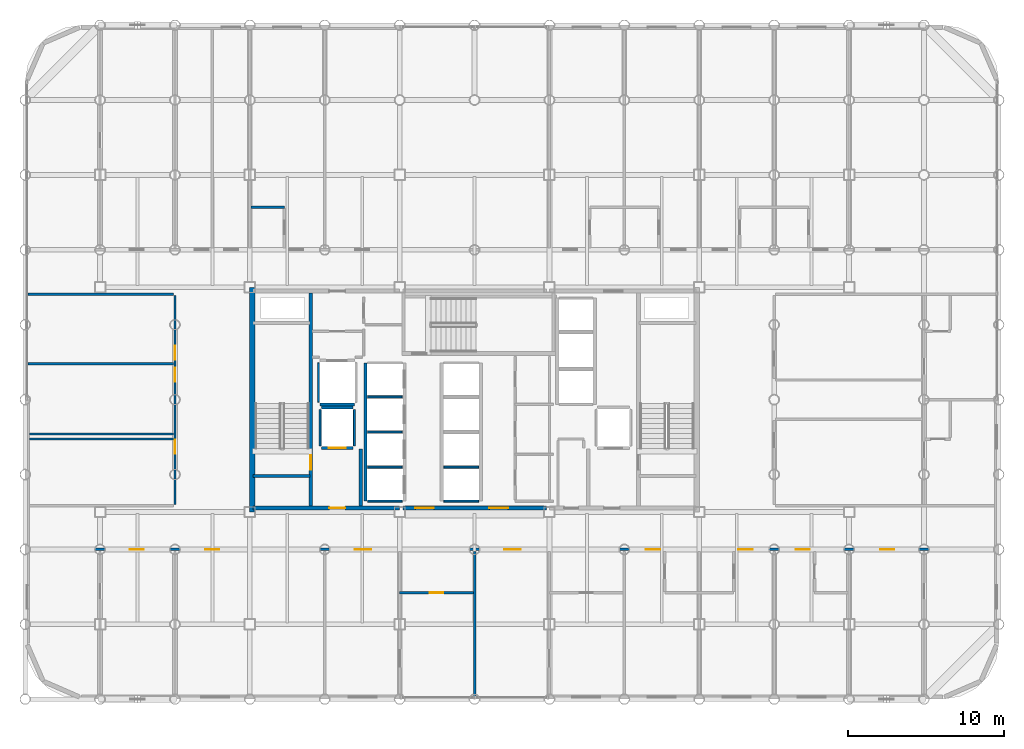
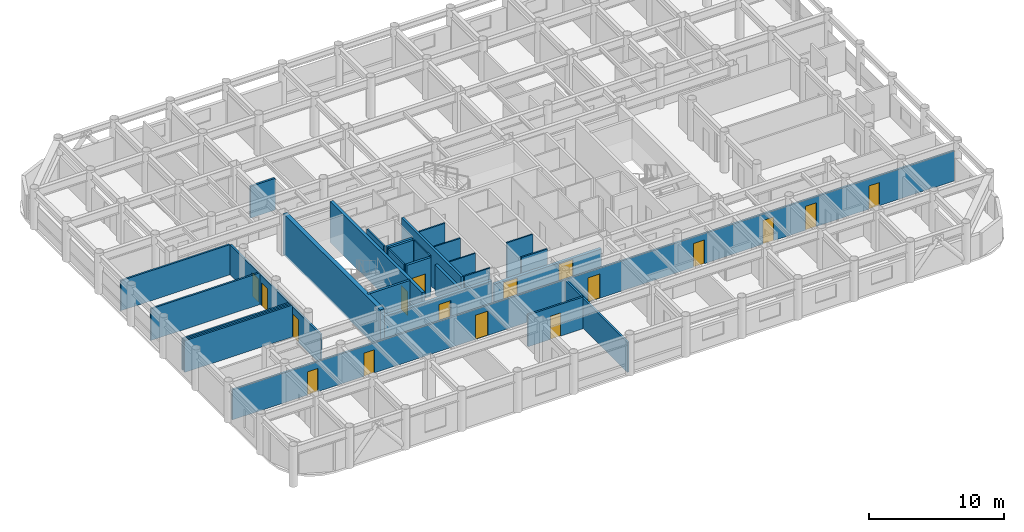
# One storey, part 17 of 22: 28 walls, 17 doors, 17 openings.
"""IFC4 building model written with IfcOpenShell, lengths in metres."""

from ifc_helpers import new_model, si_unit, direction, frame, frame_2d, origin, place, context, subcontext, project, spatial, rectangle, extrude, material, layer, layer_set, type_object, element, fill, save


model = new_model("IFC4")

# Units and contexts
model_context = context("Model", 3, precision=1e-05, world=origin(), true_north=direction((0.0, 1.0)))
body_context = subcontext(model_context, "Body", "Model", "MODEL_VIEW")
ifc_project = project(units=[si_unit("LENGTHUNIT", "METRE"), si_unit("AREAUNIT", "SQUARE_METRE"), si_unit("VOLUMEUNIT", "CUBIC_METRE"), si_unit("PLANEANGLEUNIT", "RADIAN"), si_unit("MASSUNIT", "GRAM", prefix="KILO")], contexts=[model_context])

# Site, building, storey
site_placement = place(None, origin())
site = spatial("IfcSite", under=ifc_project, at=site_placement, CompositionType="ELEMENT")
building_placement = place(site_placement, origin())
building = spatial("IfcBuilding", under=site, at=building_placement, Name="Kallvorn Hotel Tower", CompositionType="ELEMENT")
storey_placement = place(building_placement, frame((0.0, 0.0, 117.39990234375)))
storey = spatial("IfcBuildingStorey", under=building, at=storey_placement, Name="L28", CompositionType="ELEMENT", Elevation=117.39990234375)

# Wall
ifc_material_1 = material(Name="Concrete C50/60", Category="concrete")
ifc_layer_1 = layer(ifc_material_1, 0.35009765625)
ifc_layer_set_1 = layer_set([ifc_layer_1], Name="WL_CORE_350")
wall_type_1 = type_object("IfcWallType", Name="WL_CORE_350", PredefinedType="SHEAR", material=ifc_layer_set_1)
wall_1_placement = place(storey_placement, frame((-14.239990234375, -7.199951171875, -0.179931640625), z_axis=(0.0, 0.0, 1.0), x_axis=(0.0, 1.0, 0.0)))
element("IfcWall", 1, at=wall_1_placement, inside=storey, type_object=wall_type_1, Name="L28 Core West Shear Wall", PredefinedType="SHEAR", context=body_context, shape_type="SweptSolid", body=[
    extrude(rectangle(XDim=14.39990234375, YDim=0.35009765625, at=frame_2d((7.199951171875, 0.0))), origin(), (0.0, 0.0, 1.0), 3.699951171875),
])

# Wall, opening, door
ifc_material_2 = material(Name="Fire-rated double-layer acoustic gypsum drywall EI 60")
ifc_layer_2 = layer(ifc_material_2, 0.159912109375)
ifc_layer_set_2 = layer_set([ifc_layer_2], Name="WL_DEMISE_160")
wall_type_2 = type_object("IfcWallType", Name="WL_DEMISE_160", PredefinedType="PARTITIONING", material=ifc_layer_set_2)
wall_2_placement = place(storey_placement, frame((-4.800048828125, -12.3798828125, 0.0), z_axis=(0.0, 0.0, 1.0), x_axis=(1.0, 0.0, 0.0)))
wall_2 = element("IfcWall", 2, at=wall_2_placement, inside=storey, type_object=wall_type_2, Name="L28 Suite 2803 Executive Bedroom Partition", PredefinedType="PARTITIONING", context=body_context, shape_type="SweptSolid", body=[
    extrude(rectangle(XDim=4.719970703125, YDim=0.159912109375, at=frame_2d((2.35986328125, 0.0))), origin(), (0.0, 0.0, 1.0), 2.8701171875),
])
opening_1_placement = place(wall_2_placement, frame((1.929931640625, 0.0, 0.0)))
opening_1 = element("IfcOpeningElement", 3, at=opening_1_placement, cuts=wall_2, Name="Opening BD-I", PredefinedType="OPENING", context=body_context, shape_type="SweptSolid", body=[
    extrude(rectangle(XDim=0.860107421875, YDim=2.10009765625, at=frame_2d((0.43017578125, 1.050048828125))), frame((0.0, 0.094970703125, 0.0), z_axis=(0.0, -1.0, 0.0), x_axis=(1.0, 0.0, 0.0)), (0.0, 0.0, 1.0), 0.18994140625),
])
ifc_material_3 = material(Name="Solid-core walnut veneer fire-rated timber door leaf", Category="wood")
door_type_1 = type_object("IfcDoorType", Name="DR_BATH_860x2100", OperationType="NOTDEFINED", PredefinedType="DOOR", material=ifc_material_3)
door_1_placement = place(opening_1_placement, origin())
door_1 = element("IfcDoor", 4, at=door_1_placement, inside=storey, type_object=door_type_1, Name="L28 Suite 2803 En-Suite Bathroom Door", OperationType="SINGLE_SWING_RIGHT", OverallHeight=2.10009765625, OverallWidth=0.860107421875, PredefinedType="DOOR", context=body_context, shape_type="SweptSolid", body=[
    extrude(rectangle(XDim=0.860107421875, YDim=2.10009765625, at=frame_2d((0.43017578125, 1.050048828125))), frame((0.0, 0.02490234375, 0.0), z_axis=(0.0, -1.0, 0.0), x_axis=(1.0, 0.0, 0.0)), (0.0, 0.0, 1.0), 0.050048828125),
])
fill(opening_1, door_1)

# Wall, openings, doors
wall_3_placement = place(storey_placement, frame((-28.510009765625, -9.60009765625, 0.0), z_axis=(0.0, 0.0, 1.0), x_axis=(1.0, 0.0, 0.0)))
wall_3 = element("IfcWall", 5, at=wall_3_placement, inside=storey, type_object=wall_type_2, Name="L28 Suite 2803 Executive Living Salon Partition", PredefinedType="PARTITIONING", context=body_context, shape_type="SweptSolid", body=[
    extrude(rectangle(XDim=61.820068359375, YDim=0.159912109375, at=frame_2d((30.91015625, 0.0))), origin(), (0.0, 0.0, 1.0), 2.72021484375),
])
opening_2_placement = place(wall_3_placement, frame((6.419921875, 0.0, 0.0)))
opening_2 = element("IfcOpeningElement", 6, at=opening_2_placement, cuts=wall_3, Name="Opening SVD1", PredefinedType="OPENING", context=body_context, shape_type="SweptSolid", body=[
    extrude(rectangle(XDim=0.89990234375, YDim=2.10009765625, at=frame_2d((0.449951171875, 1.050048828125))), frame((0.0, 0.094970703125, 0.0), z_axis=(0.0, -1.0, 0.0), x_axis=(1.0, 0.0, 0.0)), (0.0, 0.0, 1.0), 0.18994140625),
])
opening_3_placement = place(wall_3_placement, frame((54.5, 0.0, 0.0)))
opening_3 = element("IfcOpeningElement", 7, at=opening_3_placement, cuts=wall_3, Name="Opening SVD1", PredefinedType="OPENING", context=body_context, shape_type="SweptSolid", body=[
    extrude(rectangle(XDim=0.89990234375, YDim=2.10009765625, at=frame_2d((0.449951171875, 1.050048828125))), frame((0.0, 0.094970703125, 0.0), z_axis=(0.0, -1.0, 0.0), x_axis=(1.0, 0.0, 0.0)), (0.0, 0.0, 1.0), 0.18994140625),
])
opening_4_placement = place(wall_3_placement, frame((11.260009765625, 0.0, 0.0)))
opening_4 = element("IfcOpeningElement", 8, at=opening_4_placement, cuts=wall_3, Name="Opening SVD1", PredefinedType="OPENING", context=body_context, shape_type="SweptSolid", body=[
    extrude(rectangle(XDim=0.89990234375, YDim=2.10009765625, at=frame_2d((0.449951171875, 1.050048828125))), frame((0.0, 0.094970703125, 0.0), z_axis=(0.0, -1.0, 0.0), x_axis=(1.0, 0.0, 0.0)), (0.0, 0.0, 1.0), 0.18994140625),
])
opening_5_placement = place(wall_3_placement, frame((20.824951171875, 0.0, 0.0)))
opening_5 = element("IfcOpeningElement", 9, at=opening_5_placement, cuts=wall_3, Name="Opening GD2", PredefinedType="OPENING", context=body_context, shape_type="SweptSolid", body=[
    extrude(rectangle(XDim=1.050048828125, YDim=2.199951171875, at=frame_2d((0.52490234375, 1.10009765625))), frame((0.0, 0.094970703125, 0.0), z_axis=(0.0, -1.0, 0.0), x_axis=(1.0, 0.0, 0.0)), (0.0, 0.0, 1.0), 0.18994140625),
])
opening_6_placement = place(wall_3_placement, frame((30.425048828125, 0.0, 0.0)))
opening_6 = element("IfcOpeningElement", 10, at=opening_6_placement, cuts=wall_3, Name="Opening GD2", PredefinedType="OPENING", context=body_context, shape_type="SweptSolid", body=[
    extrude(rectangle(XDim=1.050048828125, YDim=2.199951171875, at=frame_2d((0.52490234375, 1.10009765625))), frame((0.0, 0.094970703125, 0.0), z_axis=(0.0, -1.0, 0.0), x_axis=(1.0, 0.0, 0.0)), (0.0, 0.0, 1.0), 0.18994140625),
])
opening_7_placement = place(wall_3_placement, frame((39.47998046875, 0.0, 0.0)))
opening_7 = element("IfcOpeningElement", 11, at=opening_7_placement, cuts=wall_3, Name="Opening GD1", PredefinedType="OPENING", context=body_context, shape_type="SweptSolid", body=[
    extrude(rectangle(XDim=0.919921875, YDim=2.14990234375, at=frame_2d((0.4599609375, 1.074951171875))), frame((0.0, 0.094970703125, 0.0), z_axis=(0.0, -1.0, 0.0), x_axis=(1.0, 0.0, 0.0)), (0.0, 0.0, 1.0), 0.18994140625),
])
opening_8_placement = place(wall_3_placement, frame((45.419921875, 0.0, 0.0)))
opening_8 = element("IfcOpeningElement", 12, at=opening_8_placement, cuts=wall_3, Name="Opening GD1", PredefinedType="OPENING", context=body_context, shape_type="SweptSolid", body=[
    extrude(rectangle(XDim=0.919921875, YDim=2.14990234375, at=frame_2d((0.4599609375, 1.074951171875))), frame((0.0, 0.094970703125, 0.0), z_axis=(0.0, -1.0, 0.0), x_axis=(1.0, 0.0, 0.0)), (0.0, 0.0, 1.0), 0.18994140625),
])
opening_9_placement = place(wall_3_placement, frame((49.080078125, 0.0, 0.0)))
opening_9 = element("IfcOpeningElement", 13, at=opening_9_placement, cuts=wall_3, Name="Opening GD1", PredefinedType="OPENING", context=body_context, shape_type="SweptSolid", body=[
    extrude(rectangle(XDim=0.919921875, YDim=2.14990234375, at=frame_2d((0.4599609375, 1.074951171875))), frame((0.0, 0.094970703125, 0.0), z_axis=(0.0, -1.0, 0.0), x_axis=(1.0, 0.0, 0.0)), (0.0, 0.0, 1.0), 0.18994140625),
])
ifc_material_4 = material(Name="Solid-core walnut veneer fire-rated timber door leaf", Category="wood")
door_type_2 = type_object("IfcDoorType", Name="DR_GUEST_920x2150", OperationType="NOTDEFINED", PredefinedType="DOOR", material=ifc_material_4)
door_2_placement = place(opening_7_placement, origin())
door_2 = element("IfcDoor", 14, at=door_2_placement, inside=storey, type_object=door_type_2, Name="L28 Suite 2805 Deluxe King Room Door", OperationType="SINGLE_SWING_RIGHT", OverallHeight=2.14990234375, OverallWidth=0.919921875, PredefinedType="DOOR", context=body_context, shape_type="SweptSolid", body=[
    extrude(rectangle(XDim=0.919921875, YDim=2.14990234375, at=frame_2d((0.4599609375, 1.074951171875))), frame((0.0, 0.02490234375, 0.0), z_axis=(0.0, -1.0, 0.0), x_axis=(1.0, 0.0, 0.0)), (0.0, 0.0, 1.0), 0.050048828125),
])
fill(opening_7, door_2)
door_3_placement = place(opening_8_placement, origin())
door_3 = element("IfcDoor", 15, at=door_3_placement, inside=storey, type_object=door_type_2, Name="L28 Suite 2806 Deluxe King Room Door", OperationType="SINGLE_SWING_LEFT", OverallHeight=2.14990234375, OverallWidth=0.919921875, PredefinedType="DOOR", context=body_context, shape_type="SweptSolid", body=[
    extrude(rectangle(XDim=0.919921875, YDim=2.14990234375, at=frame_2d((0.4599609375, 1.074951171875))), frame((0.0, 0.02490234375, 0.0), z_axis=(0.0, -1.0, 0.0), x_axis=(1.0, 0.0, 0.0)), (0.0, 0.0, 1.0), 0.050048828125),
])
fill(opening_8, door_3)
door_4_placement = place(opening_9_placement, origin())
door_4 = element("IfcDoor", 16, at=door_4_placement, inside=storey, type_object=door_type_2, Name="L28 Suite 2807 Deluxe King Room Door", OperationType="SINGLE_SWING_RIGHT", OverallHeight=2.14990234375, OverallWidth=0.919921875, PredefinedType="DOOR", context=body_context, shape_type="SweptSolid", body=[
    extrude(rectangle(XDim=0.919921875, YDim=2.14990234375, at=frame_2d((0.4599609375, 1.074951171875))), frame((0.0, 0.02490234375, 0.0), z_axis=(0.0, -1.0, 0.0), x_axis=(1.0, 0.0, 0.0)), (0.0, 0.0, 1.0), 0.050048828125),
])
fill(opening_9, door_4)
ifc_material_5 = material(Name="Galvanised painted steel fire-rated door assembly", Category="steel")
door_type_3 = type_object("IfcDoorType", Name="DR_SERV_900x2100", OperationType="NOTDEFINED", PredefinedType="DOOR", material=ifc_material_5)
door_5_placement = place(opening_2_placement, origin())
door_5 = element("IfcDoor", 17, at=door_5_placement, inside=storey, type_object=door_type_3, Name="L28 L28 South-West Botanical Bar B Door", OperationType="SINGLE_SWING_LEFT", OverallHeight=2.10009765625, OverallWidth=0.89990234375, PredefinedType="DOOR", context=body_context, shape_type="SweptSolid", body=[
    extrude(rectangle(XDim=0.89990234375, YDim=2.10009765625, at=frame_2d((0.449951171875, 1.050048828125))), frame((0.0, 0.02490234375, 0.0), z_axis=(0.0, -1.0, 0.0), x_axis=(1.0, 0.0, 0.0)), (0.0, 0.0, 1.0), 0.050048828125),
])
fill(opening_2, door_5)
door_6_placement = place(opening_3_placement, origin())
door_6 = element("IfcDoor", 18, at=door_6_placement, inside=storey, type_object=door_type_3, Name="L28 L28 South-East Sommelier Bar A Door", OperationType="SINGLE_SWING_RIGHT", OverallHeight=2.10009765625, OverallWidth=0.89990234375, PredefinedType="DOOR", context=body_context, shape_type="SweptSolid", body=[
    extrude(rectangle(XDim=0.89990234375, YDim=2.10009765625, at=frame_2d((0.449951171875, 1.050048828125))), frame((0.0, 0.02490234375, 0.0), z_axis=(0.0, -1.0, 0.0), x_axis=(1.0, 0.0, 0.0)), (0.0, 0.0, 1.0), 0.050048828125),
])
fill(opening_3, door_6)
door_7_placement = place(opening_4_placement, origin())
door_7 = element("IfcDoor", 19, at=door_7_placement, inside=storey, type_object=door_type_3, Name="L28 L28 Cordillera Botanical Tea Salon 1 Door", OperationType="SINGLE_SWING_LEFT", OverallHeight=2.10009765625, OverallWidth=0.89990234375, PredefinedType="DOOR", context=body_context, shape_type="SweptSolid", body=[
    extrude(rectangle(XDim=0.89990234375, YDim=2.10009765625, at=frame_2d((0.449951171875, 1.050048828125))), frame((0.0, 0.02490234375, 0.0), z_axis=(0.0, -1.0, 0.0), x_axis=(1.0, 0.0, 0.0)), (0.0, 0.0, 1.0), 0.050048828125),
])
fill(opening_4, door_7)
ifc_material_6 = material(Name="Solid-core walnut veneer fire-rated timber door leaf", Category="wood")
door_type_4 = type_object("IfcDoorType", Name="DR_SUITE_1050x2200", OperationType="NOTDEFINED", PredefinedType="DOOR", material=ifc_material_6)
door_8_placement = place(opening_5_placement, origin())
door_8 = element("IfcDoor", 20, at=door_8_placement, inside=storey, type_object=door_type_4, Name="L28 Suite 2803 Executive Living Salon Door", OperationType="SINGLE_SWING_LEFT", OverallHeight=2.199951171875, OverallWidth=1.050048828125, PredefinedType="DOOR", context=body_context, shape_type="SweptSolid", body=[
    extrude(rectangle(XDim=1.050048828125, YDim=2.199951171875, at=frame_2d((0.52490234375, 1.10009765625))), frame((0.0, 0.02490234375, 0.0), z_axis=(0.0, -1.0, 0.0), x_axis=(1.0, 0.0, 0.0)), (0.0, 0.0, 1.0), 0.050048828125),
])
fill(opening_5, door_8)
door_9_placement = place(opening_6_placement, origin())
door_9 = element("IfcDoor", 21, at=door_9_placement, inside=storey, type_object=door_type_4, Name="L28 Suite 2804 Executive Living Salon Door", OperationType="SINGLE_SWING_LEFT", OverallHeight=2.199951171875, OverallWidth=1.050048828125, PredefinedType="DOOR", context=body_context, shape_type="SweptSolid", body=[
    extrude(rectangle(XDim=1.050048828125, YDim=2.199951171875, at=frame_2d((0.52490234375, 1.10009765625))), frame((0.0, 0.02490234375, 0.0), z_axis=(0.0, -1.0, 0.0), x_axis=(1.0, 0.0, 0.0)), (0.0, 0.0, 1.0), 0.050048828125),
])
fill(opening_6, door_9)

# Walls
wall_4_placement = place(storey_placement, frame((-14.320068359375, 12.320068359375, 0.0), z_axis=(0.0, 0.0, 1.0), x_axis=(1.0, 0.0, 0.0)))
element("IfcWall", 22, at=wall_4_placement, inside=storey, type_object=wall_type_2, Name="L28 Suite 2808 Standard Twin Room Partition", PredefinedType="PARTITIONING", context=body_context, shape_type="SweptSolid", body=[
    extrude(rectangle(XDim=2.130126953125, YDim=0.159912109375, at=frame_2d((1.06494140625, 0.0))), origin(), (0.0, 0.0, 1.0), 2.8701171875),
])
wall_5_placement = place(storey_placement, frame((0.0, -18.9951171875, 0.0), z_axis=(0.0, 0.0, 1.0), x_axis=(0.0, 1.0, 0.0)))
element("IfcWall", 23, at=wall_5_placement, inside=storey, type_object=wall_type_2, Name="L28 Suite 2803 Executive Bedroom Partition", PredefinedType="PARTITIONING", context=body_context, shape_type="SweptSolid", body=[
    extrude(rectangle(XDim=9.275146484375, YDim=0.159912109375, at=frame_2d((4.6376953125, 0.0))), origin(), (0.0, 0.0, 1.0), 2.72021484375),
])
ifc_material_7 = material(Name="Concrete C40/50", Category="concrete")
ifc_layer_3 = layer(ifc_material_7, 0.219970703125)
ifc_layer_set_3 = layer_set([ifc_layer_3], Name="WL_FFL_220")
wall_type_3 = type_object("IfcWallType", Name="WL_FFL_220", PredefinedType="SOLIDWALL", material=ifc_layer_set_3)
wall_6_placement = place(storey_placement, frame((-7.300048828125, -6.820068359375, 0.0), z_axis=(0.0, 0.0, 1.0), x_axis=(0.0, 1.0, 0.0)))
element("IfcWall", 24, at=wall_6_placement, inside=storey, type_object=wall_type_3, Name="L28 Firefighting Lobby West Divider Wall", PredefinedType="SOLIDWALL", context=body_context, shape_type="SweptSolid", body=[
    extrude(rectangle(XDim=3.670166015625, YDim=0.219970703125, at=frame_2d((1.8349609375, 0.0))), origin(), (0.0, 0.0, 1.0), 2.72021484375),
])
ifc_material_8 = material(Name="Concrete C40/50", Category="concrete")
ifc_layer_4 = layer(ifc_material_8, 0.199951171875)
ifc_layer_set_4 = layer_set([ifc_layer_4], Name="WL_HOIST_200")
wall_type_4 = type_object("IfcWallType", Name="WL_HOIST_200", PredefinedType="SOLIDWALL", material=ifc_layer_set_4)
wall_7_placement = place(storey_placement, frame((-14.199951171875, -4.89990234375, -0.179931640625), z_axis=(0.0, 0.0, 1.0), x_axis=(1.0, 0.0, 0.0)))
element("IfcWall", 25, at=wall_7_placement, inside=storey, type_object=wall_type_4, Name="L28 Stair ST1 South Wall", PredefinedType="SOLIDWALL", context=body_context, shape_type="SweptSolid", body=[
    extrude(rectangle(XDim=3.64990234375, YDim=0.199951171875, at=frame_2d((1.824951171875, 0.0))), origin(), (0.0, 0.0, 1.0), 3.699951171875),
])
wall_8_placement = place(storey_placement, frame((-7.0, -6.5, 0.0), z_axis=(0.0, 0.0, 1.0), x_axis=(0.0, 1.0, 0.0)))
element("IfcWall", 26, at=wall_8_placement, inside=storey, type_object=wall_type_4, Name="L28 Lift Bank B1 Rear Shaft Wall", PredefinedType="SOLIDWALL", context=body_context, shape_type="SweptSolid", body=[
    extrude(rectangle(XDim=8.85009765625, YDim=0.199951171875, at=frame_2d((4.425048828125, 0.0))), origin(), (0.0, 0.0, 1.0), 3.52001953125),
])

# Wall, opening, door
wall_9_placement = place(storey_placement, frame((-9.820068359375, -3.10009765625, 0.0), z_axis=(0.0, 0.0, 1.0), x_axis=(1.0, 0.0, 0.0)))
wall_9 = element("IfcWall", 27, at=wall_9_placement, inside=storey, type_object=wall_type_4, Name="L28 FL-1 Landing Wall", PredefinedType="SOLIDWALL", context=body_context, shape_type="SweptSolid", body=[
    extrude(rectangle(XDim=2.0400390625, YDim=0.199951171875, at=frame_2d((1.02001953125, 0.0))), origin(), (0.0, 0.0, 1.0), 3.52001953125),
])
opening_10_placement = place(wall_9_placement, frame((0.469970703125, 0.0, 0.0)))
opening_10 = element("IfcOpeningElement", 28, at=opening_10_placement, cuts=wall_9, Name="Opening LD-FL-1", PredefinedType="OPENING", context=body_context, shape_type="SweptSolid", body=[
    extrude(rectangle(XDim=1.10009765625, YDim=2.199951171875, at=frame_2d((0.550048828125, 1.10009765625))), frame((0.0, 0.114990234375, 0.0), z_axis=(0.0, -1.0, 0.0), x_axis=(1.0, 0.0, 0.0)), (0.0, 0.0, 1.0), 0.22998046875),
])
ifc_material_9 = material(Name="Brushed stainless-steel automatic sliding lift landing door", Category="steel")
door_type_5 = type_object("IfcDoorType", Name="LD_PASS_1100x2200", OperationType="SLIDING_TO_LEFT", PredefinedType="DOOR", material=ifc_material_9)
door_10_placement = place(opening_10_placement, origin())
door_10 = element("IfcDoor", 29, at=door_10_placement, inside=storey, type_object=door_type_5, Name="L28 Lift Landing Sliding Door LD-FL-1", OperationType="SLIDING_TO_LEFT", OverallHeight=2.199951171875, OverallWidth=1.10009765625, PredefinedType="DOOR", context=body_context, shape_type="SweptSolid", body=[
    extrude(rectangle(XDim=1.10009765625, YDim=2.199951171875, at=frame_2d((0.550048828125, 1.10009765625))), frame((0.0, 0.02490234375, 0.0), z_axis=(0.0, -1.0, 0.0), x_axis=(1.0, 0.0, 0.0)), (0.0, 0.0, 1.0), 0.050048828125),
])
fill(opening_10, door_10)

# Walls
wall_10_placement = place(storey_placement, frame((-9.820068359375, -0.5, 0.0), z_axis=(0.0, 0.0, 1.0), x_axis=(1.0, 0.0, 0.0)))
element("IfcWall", 30, at=wall_10_placement, inside=storey, type_object=wall_type_4, Name="L28 FL-1 Rear Shaft Wall", PredefinedType="SOLIDWALL", context=body_context, shape_type="SweptSolid", body=[
    extrude(rectangle(XDim=2.0400390625, YDim=0.199951171875, at=frame_2d((1.02001953125, 0.0))), origin(), (0.0, 0.0, 1.0), 3.52001953125),
])
wall_11_placement = place(storey_placement, frame((-9.919921875, -0.300048828125, 0.0), z_axis=(0.0, 0.0, 1.0), x_axis=(1.0, 0.0, 0.0)))
element("IfcWall", 31, at=wall_11_placement, inside=storey, type_object=wall_type_4, Name="L28 SV-01 Rear Shaft Wall", PredefinedType="SOLIDWALL", context=body_context, shape_type="SweptSolid", body=[
    extrude(rectangle(XDim=2.239990234375, YDim=0.199951171875, at=frame_2d((1.1201171875, 0.0))), origin(), (0.0, 0.0, 1.0), 3.52001953125),
])
ifc_material_10 = material(Name="Fire-rated double-layer acoustic gypsum drywall EI 60")
ifc_layer_5 = layer(ifc_material_10, 0.1201171875)
ifc_layer_set_5 = layer_set([ifc_layer_5], Name="WL_INT_120")
wall_type_5 = type_object("IfcWallType", Name="WL_INT_120", PredefinedType="PARTITIONING", material=ifc_layer_set_5)
for number, where, z_axis, x_axis, name in (
    (32, (-6.860107421875, -6.5, 0.0), (0.0, 0.0, 1.0), (1.0, 0.0, 0.0), "L28 Lift Bank B1 South Closure Wall"),
    (33, (-6.860107421875, -4.324951171875, 0.0), (0.0, 0.0, 1.0), (1.0, 0.0, 0.0), "L28 PL-01 Hoistway Divider"),
    (34, (-6.860107421875, -2.074951171875, 0.0), (0.0, 0.0, 1.0), (1.0, 0.0, 0.0), "L28 PL-02 Hoistway Divider"),
    (35, (-6.860107421875, 0.175048828125, 0.0), (0.0, 0.0, 1.0), (1.0, 0.0, 0.0), "L28 PL-03 Hoistway Divider"),
):
    element("IfcWall", number, at=place(storey_placement, frame(where, z_axis=z_axis, x_axis=x_axis)), inside=storey, type_object=wall_type_5, Name=name, PredefinedType="PARTITIONING", context=body_context, shape_type="SweptSolid", body=[
        extrude(rectangle(XDim=2.22021484375, YDim=0.1201171875, at=frame_2d((1.110107421875, 0.0))), origin(), (0.0, 0.0, 1.0), 3.52001953125),
    ])
for number, where, z_axis, x_axis, name in (
    (36, (-1.9599609375, -6.5, 0.0), (0.0, 0.0, 1.0), (1.0, 0.0, 0.0), "L28 Lift Bank B2 South Closure Wall"),
    (37, (-1.9599609375, -4.324951171875, 0.0), (0.0, 0.0, 1.0), (1.0, 0.0, 0.0), "L28 PL-05 Hoistway Divider"),
):
    element("IfcWall", number, at=place(storey_placement, frame(where, z_axis=z_axis, x_axis=x_axis)), inside=storey, type_object=wall_type_5, Name=name, PredefinedType="PARTITIONING", context=body_context, shape_type="SweptSolid", body=[
        extrude(rectangle(XDim=2.219970703125, YDim=0.1201171875, at=frame_2d((1.10986328125, 0.0))), origin(), (0.0, 0.0, 1.0), 3.52001953125),
    ])
for number, where, z_axis, x_axis, name in (
    (38, (-9.89990234375, -2.9599609375, 0.0), (0.0, 0.0, 1.0), (0.0, 1.0, 0.0), "L28 FL-1 West Shaft Wall"),
    (39, (-7.699951171875, -2.9599609375, 0.0), (0.0, 0.0, 1.0), (0.0, 1.0, 0.0), "L28 FL-1 East Shaft Wall"),
):
    element("IfcWall", number, at=place(storey_placement, frame(where, z_axis=z_axis, x_axis=x_axis)), inside=storey, type_object=wall_type_5, Name=name, PredefinedType="PARTITIONING", context=body_context, shape_type="SweptSolid", body=[
        extrude(rectangle(XDim=2.320068359375, YDim=0.1201171875, at=frame_2d((1.16015625, 0.0))), origin(), (0.0, 0.0, 1.0), 3.52001953125),
    ])
wall_12_placement = place(storey_placement, frame((-10.0, -0.159912109375, 0.0), z_axis=(0.0, 0.0, 1.0), x_axis=(0.0, 1.0, 0.0)))
element("IfcWall", 40, at=wall_12_placement, inside=storey, type_object=wall_type_5, Name="L28 SV-01 West Shaft Wall", PredefinedType="PARTITIONING", context=body_context, shape_type="SweptSolid", body=[
    extrude(rectangle(XDim=2.52001953125, YDim=0.1201171875, at=frame_2d((1.260009765625, 0.0))), origin(), (0.0, 0.0, 1.0), 3.52001953125),
])
ifc_material_11 = material(Name="Fire-rated double-layer acoustic gypsum drywall EI 60")
ifc_layer_6 = layer(ifc_material_11, 0.14990234375)
ifc_layer_set_6 = layer_set([ifc_layer_6], Name="WL_PART_150")
wall_type_6 = type_object("IfcWallType", Name="WL_PART_150", PredefinedType="PARTITIONING", material=ifc_layer_set_6)
for number, where, z_axis, x_axis, name in (
    (41, (-28.510009765625, -2.52490234375, 0.0), (0.0, 0.0, 1.0), (1.0, 0.0, 0.0), "L28 L28 W South Tasting Bar Partition"),
    (42, (-28.510009765625, -2.199951171875, 0.0), (0.0, 0.0, 1.0), (1.0, 0.0, 0.0), "L28 L28 W Central Reading Gallery Partition"),
):
    element("IfcWall", number, at=place(storey_placement, frame(where, z_axis=z_axis, x_axis=x_axis)), inside=storey, type_object=wall_type_6, Name=name, PredefinedType="PARTITIONING", context=body_context, shape_type="SweptSolid", body=[
        extrude(rectangle(XDim=9.22998046875, YDim=0.14990234375, at=frame_2d((4.614990234375, 0.0))), origin(), (0.0, 0.0, 1.0), 2.8701171875),
    ])
wall_13_placement = place(storey_placement, frame((-28.6298828125, 2.300048828125, 0.0), z_axis=(0.0, 0.0, 1.0), x_axis=(1.0, 0.0, 0.0)))
element("IfcWall", 43, at=wall_13_placement, inside=storey, type_object=wall_type_6, Name="L28 L28 W Central Reading Gallery Partition", PredefinedType="PARTITIONING", context=body_context, shape_type="SweptSolid", body=[
    extrude(rectangle(XDim=9.349853515625, YDim=0.14990234375, at=frame_2d((4.6748046875, 0.0))), origin(), (0.0, 0.0, 1.0), 2.8701171875),
])
wall_14_placement = place(storey_placement, frame((-28.6298828125, 6.75, 0.0), z_axis=(0.0, 0.0, 1.0), x_axis=(1.0, 0.0, 0.0)))
element("IfcWall", 44, at=wall_14_placement, inside=storey, type_object=wall_type_6, Name="L28 L28 W North Movement Gymnasium Partition", PredefinedType="PARTITIONING", context=body_context, shape_type="SweptSolid", body=[
    extrude(rectangle(XDim=9.349853515625, YDim=0.14990234375, at=frame_2d((4.6748046875, 0.0))), origin(), (0.0, 0.0, 1.0), 2.72021484375),
])

# Wall, openings, doors
wall_15_placement = place(storey_placement, frame((-19.199951171875, -6.715087890625, 0.0), z_axis=(0.0, 0.0, 1.0), x_axis=(0.0, 1.0, 0.0)))
wall_15 = element("IfcWall", 45, at=wall_15_placement, inside=storey, type_object=wall_type_6, Name="L28 L28 W South Tasting Bar Partition", PredefinedType="PARTITIONING", context=body_context, shape_type="SweptSolid", body=[
    extrude(rectangle(XDim=13.380126953125, YDim=0.14990234375, at=frame_2d((6.68994140625, 0.0))), origin(), (0.0, 0.0, 1.0), 2.72021484375),
])
opening_11_placement = place(wall_15_placement, frame((3.2548828125, 0.0, 0.0)))
opening_11 = element("IfcOpeningElement", 46, at=opening_11_placement, cuts=wall_15, Name="Opening SVD1", PredefinedType="OPENING", context=body_context, shape_type="SweptSolid", body=[
    extrude(rectangle(XDim=0.89990234375, YDim=2.10009765625, at=frame_2d((0.449951171875, 1.050048828125))), frame((0.0, 0.08984375, 0.0), z_axis=(0.0, -1.0, 0.0), x_axis=(1.0, 0.0, 0.0)), (0.0, 0.0, 1.0), 0.179931640625),
])
opening_12_placement = place(wall_15_placement, frame((7.85498046875, 0.0, 0.0)))
opening_12 = element("IfcOpeningElement", 47, at=opening_12_placement, cuts=wall_15, Name="Opening SVD1", PredefinedType="OPENING", context=body_context, shape_type="SweptSolid", body=[
    extrude(rectangle(XDim=0.89990234375, YDim=2.10009765625, at=frame_2d((0.449951171875, 1.050048828125))), frame((0.0, 0.08984375, 0.0), z_axis=(0.0, -1.0, 0.0), x_axis=(1.0, 0.0, 0.0)), (0.0, 0.0, 1.0), 0.179931640625),
])
opening_13_placement = place(wall_15_placement, frame((9.27490234375, 0.0, 0.0)))
opening_13 = element("IfcOpeningElement", 48, at=opening_13_placement, cuts=wall_15, Name="Opening SVD1", PredefinedType="OPENING", context=body_context, shape_type="SweptSolid", body=[
    extrude(rectangle(XDim=0.89990234375, YDim=2.10009765625, at=frame_2d((0.449951171875, 1.050048828125))), frame((0.0, 0.08984375, 0.0), z_axis=(0.0, -1.0, 0.0), x_axis=(1.0, 0.0, 0.0)), (0.0, 0.0, 1.0), 0.179931640625),
])
door_11_placement = place(opening_11_placement, origin())
door_11 = element("IfcDoor", 49, at=door_11_placement, inside=storey, type_object=door_type_3, Name="L28 L28 W South Tasting Bar Door", OperationType="SINGLE_SWING_RIGHT", OverallHeight=2.10009765625, OverallWidth=0.89990234375, PredefinedType="DOOR", context=body_context, shape_type="SweptSolid", body=[
    extrude(rectangle(XDim=0.89990234375, YDim=2.10009765625, at=frame_2d((0.449951171875, 1.050048828125))), frame((0.0, 0.02490234375, 0.0), z_axis=(0.0, -1.0, 0.0), x_axis=(1.0, 0.0, 0.0)), (0.0, 0.0, 1.0), 0.050048828125),
])
fill(opening_11, door_11)
door_12_placement = place(opening_12_placement, origin())
door_12 = element("IfcDoor", 50, at=door_12_placement, inside=storey, type_object=door_type_3, Name="L28 L28 W Central Reading Gallery Door", OperationType="SINGLE_SWING_RIGHT", OverallHeight=2.10009765625, OverallWidth=0.89990234375, PredefinedType="DOOR", context=body_context, shape_type="SweptSolid", body=[
    extrude(rectangle(XDim=0.89990234375, YDim=2.10009765625, at=frame_2d((0.449951171875, 1.050048828125))), frame((0.0, 0.02490234375, 0.0), z_axis=(0.0, -1.0, 0.0), x_axis=(1.0, 0.0, 0.0)), (0.0, 0.0, 1.0), 0.050048828125),
])
fill(opening_12, door_12)
door_13_placement = place(opening_13_placement, origin())
door_13 = element("IfcDoor", 51, at=door_13_placement, inside=storey, type_object=door_type_3, Name="L28 L28 W North Movement Gymnasium Door", OperationType="SINGLE_SWING_RIGHT", OverallHeight=2.10009765625, OverallWidth=0.89990234375, PredefinedType="DOOR", context=body_context, shape_type="SweptSolid", body=[
    extrude(rectangle(XDim=0.89990234375, YDim=2.10009765625, at=frame_2d((0.449951171875, 1.050048828125))), frame((0.0, 0.02490234375, 0.0), z_axis=(0.0, -1.0, 0.0), x_axis=(1.0, 0.0, 0.0)), (0.0, 0.0, 1.0), 0.050048828125),
])
fill(opening_13, door_13)

# Wall, opening, door
ifc_material_12 = material(Name="Concrete C40/50", Category="concrete")
ifc_layer_7 = layer(ifc_material_12, 0.25)
ifc_layer_set_7 = layer_set([ifc_layer_7], Name="WL_SHAFT_250")
wall_type_7 = type_object("IfcWallType", Name="WL_SHAFT_250", PredefinedType="SOLIDWALL", material=ifc_layer_set_7)
wall_16_placement = place(storey_placement, frame((-14.199951171875, -6.949951171875, 0.0), z_axis=(0.0, 0.0, 1.0), x_axis=(1.0, 0.0, 0.0)))
wall_16 = element("IfcWall", 52, at=wall_16_placement, inside=storey, type_object=wall_type_7, Name="L28 Core South-West Wall", PredefinedType="SOLIDWALL", context=body_context, shape_type="SweptSolid", body=[
    extrude(rectangle(XDim=9.39990234375, YDim=0.25, at=frame_2d((4.699951171875, 0.0))), origin(), (0.0, 0.0, 1.0), 2.72021484375),
])
opening_14_placement = place(wall_16_placement, frame((4.89990234375, 0.0, 0.0)))
opening_14 = element("IfcOpeningElement", 53, at=opening_14_placement, cuts=wall_16, Name="Opening FD1", PredefinedType="OPENING", context=body_context, shape_type="SweptSolid", body=[
    extrude(rectangle(XDim=1.0, YDim=2.14990234375, at=frame_2d((0.5, 1.074951171875))), frame((0.0, 0.139892578125, 0.0), z_axis=(0.0, -1.0, 0.0), x_axis=(1.0, 0.0, 0.0)), (0.0, 0.0, 1.0), 0.280029296875),
])
ifc_material_13 = material(Name="Galvanised painted steel fire-rated door assembly", Category="steel")
door_type_6 = type_object("IfcDoorType", Name="DR_FFL_1000x2150", OperationType="NOTDEFINED", PredefinedType="DOOR", material=ifc_material_13)
door_14_placement = place(opening_14_placement, origin())
door_14 = element("IfcDoor", 54, at=door_14_placement, inside=storey, type_object=door_type_6, Name="L28 Firefighting Lobby West Door", OperationType="SINGLE_SWING_LEFT", OverallHeight=2.14990234375, OverallWidth=1.0, PredefinedType="DOOR", context=body_context, shape_type="SweptSolid", body=[
    extrude(rectangle(XDim=1.0, YDim=2.14990234375, at=frame_2d((0.5, 1.074951171875))), frame((0.0, 0.02490234375, 0.0), z_axis=(0.0, -1.0, 0.0), x_axis=(1.0, 0.0, 0.0)), (0.0, 0.0, 1.0), 0.050048828125),
])
fill(opening_14, door_14)

# Wall, openings, doors
wall_17_placement = place(storey_placement, frame((-4.60009765625, -6.949951171875, 0.0), z_axis=(0.0, 0.0, 1.0), x_axis=(1.0, 0.0, 0.0)))
wall_17 = element("IfcWall", 55, at=wall_17_placement, inside=storey, type_object=wall_type_7, Name="L28 Core South-Central Wall", PredefinedType="SOLIDWALL", context=body_context, shape_type="SweptSolid", body=[
    extrude(rectangle(XDim=9.2001953125, YDim=0.25, at=frame_2d((4.60009765625, 0.0))), origin(), (0.0, 0.0, 1.0), 2.320068359375),
])
opening_15_placement = place(wall_17_placement, frame((0.800048828125, 0.0, 0.0)))
opening_15 = element("IfcOpeningElement", 56, at=opening_15_placement, cuts=wall_17, Name="Opening FD2", PredefinedType="OPENING", context=body_context, shape_type="SweptSolid", body=[
    extrude(rectangle(XDim=1.199951171875, YDim=2.199951171875, at=frame_2d((0.60009765625, 1.10009765625))), frame((0.0, 0.139892578125, 0.0), z_axis=(0.0, -1.0, 0.0), x_axis=(1.0, 0.0, 0.0)), (0.0, 0.0, 1.0), 0.280029296875),
])
opening_16_placement = place(wall_17_placement, frame((5.550048828125, 0.0, 0.0)))
opening_16 = element("IfcOpeningElement", 57, at=opening_16_placement, cuts=wall_17, Name="Opening FD2", PredefinedType="OPENING", context=body_context, shape_type="SweptSolid", body=[
    extrude(rectangle(XDim=1.199951171875, YDim=2.199951171875, at=frame_2d((0.60009765625, 1.10009765625))), frame((0.0, 0.139892578125, 0.0), z_axis=(0.0, -1.0, 0.0), x_axis=(1.0, 0.0, 0.0)), (0.0, 0.0, 1.0), 0.280029296875),
])
ifc_material_14 = material(Name="Galvanised painted steel fire-rated door assembly", Category="steel")
door_type_7 = type_object("IfcDoorType", Name="DR_LOBBY_1200x2200", OperationType="DOUBLE_DOOR_SINGLE_SWING", PredefinedType="DOOR", material=ifc_material_14)
door_15_placement = place(opening_15_placement, origin())
door_15 = element("IfcDoor", 58, at=door_15_placement, inside=storey, type_object=door_type_7, Name="L28 West Passenger Lift Lobby Door", OperationType="DOUBLE_DOOR_SINGLE_SWING", OverallHeight=2.199951171875, OverallWidth=1.199951171875, PredefinedType="DOOR", context=body_context, shape_type="SweptSolid", body=[
    extrude(rectangle(XDim=1.199951171875, YDim=2.199951171875, at=frame_2d((0.60009765625, 1.10009765625))), frame((0.0, 0.02490234375, 0.0), z_axis=(0.0, -1.0, 0.0), x_axis=(1.0, 0.0, 0.0)), (0.0, 0.0, 1.0), 0.050048828125),
])
fill(opening_15, door_15)
door_16_placement = place(opening_16_placement, origin())
door_16 = element("IfcDoor", 59, at=door_16_placement, inside=storey, type_object=door_type_7, Name="L28 East Passenger Lift Lobby Door", OperationType="DOUBLE_DOOR_SINGLE_SWING", OverallHeight=2.199951171875, OverallWidth=1.199951171875, PredefinedType="DOOR", context=body_context, shape_type="SweptSolid", body=[
    extrude(rectangle(XDim=1.199951171875, YDim=2.199951171875, at=frame_2d((0.60009765625, 1.10009765625))), frame((0.0, 0.02490234375, 0.0), z_axis=(0.0, -1.0, 0.0), x_axis=(1.0, 0.0, 0.0)), (0.0, 0.0, 1.0), 0.050048828125),
])
fill(opening_16, door_16)

# Wall, opening, door
wall_18_placement = place(storey_placement, frame((-10.5, -6.820068359375, -0.179931640625), z_axis=(0.0, 0.0, 1.0), x_axis=(0.0, 1.0, 0.0)))
wall_18 = element("IfcWall", 60, at=wall_18_placement, inside=storey, type_object=wall_type_7, Name="L28 Stair ST1 Shaft Wall", PredefinedType="SOLIDWALL", context=body_context, shape_type="SweptSolid", body=[
    extrude(rectangle(XDim=13.64013671875, YDim=0.25, at=frame_2d((6.820068359375, 0.0))), origin(), (0.0, 0.0, 1.0), 3.699951171875),
])
opening_17_placement = place(wall_18_placement, frame((2.320068359375, 0.0, 0.179931640625)))
opening_17 = element("IfcOpeningElement", 61, at=opening_17_placement, cuts=wall_18, Name="Opening SD1", PredefinedType="OPENING", context=body_context, shape_type="SweptSolid", body=[
    extrude(rectangle(XDim=0.949951171875, YDim=2.14990234375, at=frame_2d((0.47509765625, 1.074951171875))), frame((0.0, 0.139892578125, 0.0), z_axis=(0.0, -1.0, 0.0), x_axis=(1.0, 0.0, 0.0)), (0.0, 0.0, 1.0), 0.280029296875),
])
ifc_material_15 = material(Name="Galvanised painted steel fire-rated door assembly", Category="steel")
door_type_8 = type_object("IfcDoorType", Name="DR_STAIR_950x2150", OperationType="NOTDEFINED", PredefinedType="DOOR", material=ifc_material_15)
door_17_placement = place(opening_17_placement, origin())
door_17 = element("IfcDoor", 62, at=door_17_placement, inside=storey, type_object=door_type_8, Name="L28 Exit Stair ST1 Fire Door", OperationType="SINGLE_SWING_RIGHT", OverallHeight=2.14990234375, OverallWidth=0.949951171875, PredefinedType="DOOR", context=body_context, shape_type="SweptSolid", body=[
    extrude(rectangle(XDim=0.949951171875, YDim=2.14990234375, at=frame_2d((0.47509765625, 1.074951171875))), frame((0.0, 0.02490234375, 0.0), z_axis=(0.0, -1.0, 0.0), x_axis=(1.0, 0.0, 0.0)), (0.0, 0.0, 1.0), 0.050048828125),
])
fill(opening_17, door_17)

save(model, "model.ifc")
